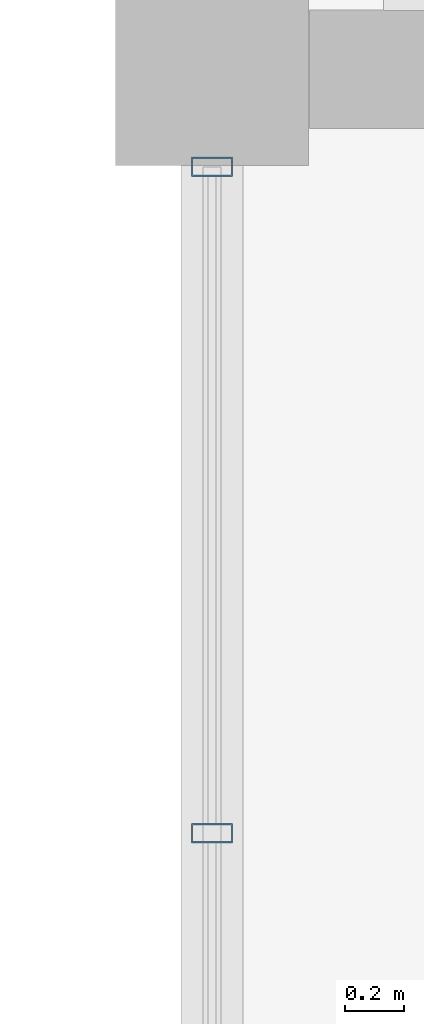
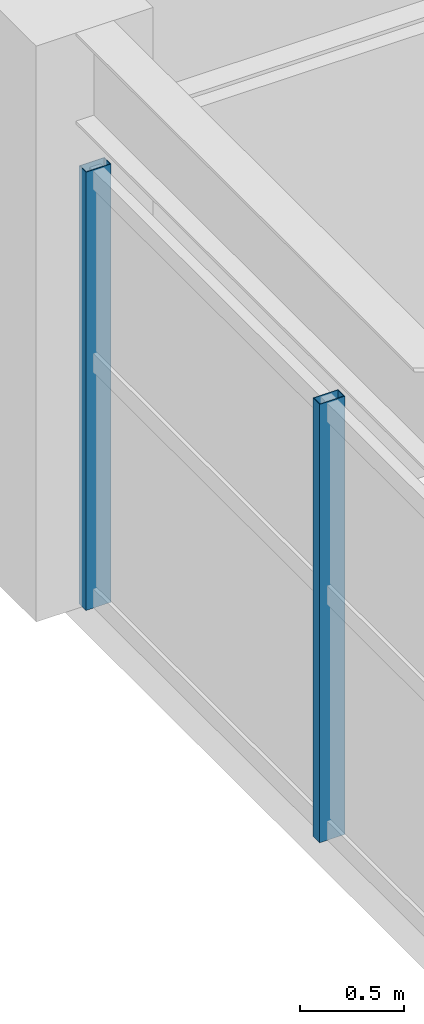
# One storey, part 58 of 93: 2 members, 1 element without a shape of its own.
"""IFC4 building model written with IfcOpenShell, lengths in metres."""

from ifc_helpers import new_model, si_unit, direction, frame, origin, origin_2d, place, context, subcontext, project, spatial, hollow_rectangle, extrude, material, material_profile, profile_set, type_object, element, aggregate, save


model = new_model("IFC4")

# Units and contexts
model_context = context("Model", 3, precision=1e-05, world=origin(), true_north=direction((0.0, 1.0)))
body_context = subcontext(model_context, "Body", "Model", "MODEL_VIEW")
ifc_project = project(units=[si_unit("LENGTHUNIT", "METRE"), si_unit("AREAUNIT", "SQUARE_METRE"), si_unit("VOLUMEUNIT", "CUBIC_METRE"), si_unit("PLANEANGLEUNIT", "RADIAN"), si_unit("MASSUNIT", "GRAM", prefix="KILO")], contexts=[model_context])

# Site, building, storey
site_placement = place(None, origin())
site = spatial("IfcSite", under=ifc_project, at=site_placement, CompositionType="ELEMENT")
building_placement = place(site_placement, origin())
building = spatial("IfcBuilding", under=site, at=building_placement, Name="Cimatlan Art Gallery", CompositionType="ELEMENT")
storey_placement = place(building_placement, frame((0.0, 0.0, 13.800048828125)))
storey = spatial("IfcBuildingStorey", under=building, at=storey_placement, Name="L03", CompositionType="ELEMENT", Elevation=13.800048828125)

# Curtain wall, members
ifc_material_1 = material(Name="Anodised bronze unitised curtain wall")
curtain_wall_type = type_object("IfcCurtainWallType", Name="CW-V-06742X02573-B3", PredefinedType="NOTDEFINED", material=ifc_material_1)
curtain_wall_placement = place(storey_placement, origin())
curtain_wall = element("IfcCurtainWall", 1, at=curtain_wall_placement, inside=storey, type_object=curtain_wall_type, Name="CW-L03-09-11-W", PredefinedType="NOTDEFINED")
ifc_material_2 = material(Name="Anodised bronze aluminium 6063-T6", Category="aluminium")
ifc_material_profile = material_profile(ifc_material_2, hollow_rectangle(XDim=0.06494140625, YDim=0.139892578125, WallThickness=0.00390625, at=origin_2d()), Name="ALU65X140X4")
ifc_profile_set = profile_set([ifc_material_profile], Name="Anodised bronze aluminium 6063-T6")
member_type = type_object("IfcMemberType", Name="CW-MUL-140", PredefinedType="MULLION", material=ifc_profile_set)
member_1_placement = place(storey_placement, frame((74.89990234375, 87.923583984375, 0.0), z_axis=(0.0, 0.0, 1.0), x_axis=(0.0, 1.0, 0.0)))
member_1 = element("IfcMember", 2, at=member_1_placement, type_object=member_type, Name="CW-L03-09-11-W-M3", PredefinedType="MULLION", context=body_context, shape_type="SweptSolid", body=[
    extrude(hollow_rectangle(XDim=0.06494140625, YDim=0.139892578125, WallThickness=0.00390625, at=origin_2d()), origin(), (0.0, 0.0, 1.0), 2.572998046875),
])
member_2_placement = place(storey_placement, frame((74.89990234375, 90.1708984375, 0.0), z_axis=(0.0, 0.0, 1.0), x_axis=(0.0, 1.0, 0.0)))
member_2 = element("IfcMember", 3, at=member_2_placement, type_object=member_type, Name="CW-L03-09-11-W-M4", PredefinedType="MULLION", context=body_context, shape_type="SweptSolid", body=[
    extrude(hollow_rectangle(XDim=0.06494140625, YDim=0.139892578125, WallThickness=0.00390625, at=origin_2d()), origin(), (0.0, 0.0, 1.0), 2.572998046875),
])
aggregate(curtain_wall, [member_1, member_2])

save(model, "model.ifc")
